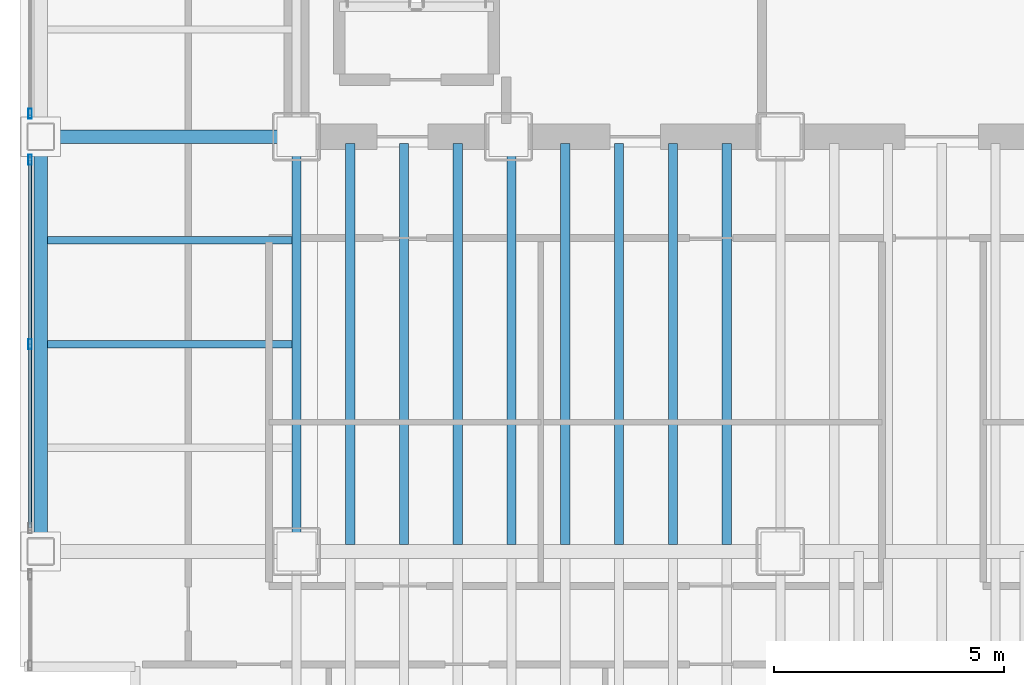
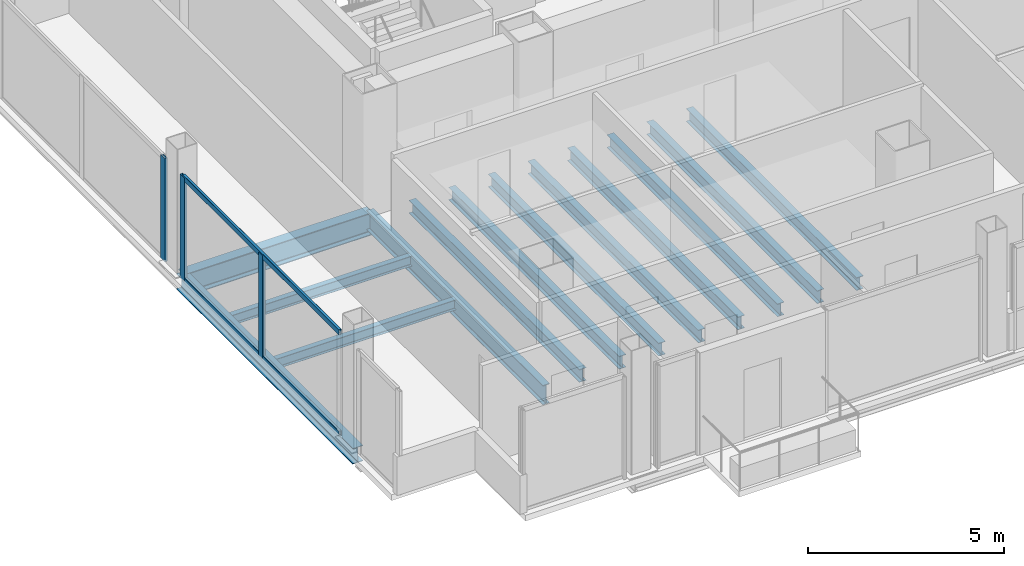
# One storey, part 3 of 20: 13 beams, 5 members, 2 elements without a shape of their own.
"""IFC4 building model written with IfcOpenShell, lengths in metres."""

from ifc_helpers import new_model, si_unit, direction, frame, origin, origin_2d, place, context, subcontext, project, spatial, hollow_rectangle, i_section, extrude, material, material_profile, profile_set, type_object, element, aggregate, save


model = new_model("IFC4")

# Units and contexts
model_context = context("Model", 3, precision=1e-05, world=origin(), true_north=direction((0.0, 1.0)))
body_context = subcontext(model_context, "Body", "Model", "MODEL_VIEW")
ifc_project = project(units=[si_unit("LENGTHUNIT", "METRE"), si_unit("AREAUNIT", "SQUARE_METRE"), si_unit("VOLUMEUNIT", "CUBIC_METRE"), si_unit("PLANEANGLEUNIT", "RADIAN"), si_unit("MASSUNIT", "GRAM", prefix="KILO")], contexts=[model_context])

# Site, building, storey
site_placement = place(None, origin())
site = spatial("IfcSite", under=ifc_project, at=site_placement, CompositionType="ELEMENT")
building_placement = place(site_placement, origin())
building = spatial("IfcBuilding", under=site, at=building_placement, Name="Noeulbin Bourse Tower", CompositionType="ELEMENT")
storey_placement = place(building_placement, frame((0.0, 0.0, 65.5)))
storey = spatial("IfcBuildingStorey", under=building, at=storey_placement, Name="L16", CompositionType="ELEMENT", Elevation=65.5)

# Beams
ifc_material_1 = material(Name="Steel S355", Category="steel")
ifc_material_profile_1 = material_profile(ifc_material_1, i_section(OverallWidth=0.199951171875, OverallDepth=0.60009765625, WebThickness=0.010986328125, FlangeThickness=0.01708984375, FilletRadius=0.02197265625, at=origin_2d()), Name="H-600x200x11x17", Category="LoadBearing")
ifc_profile_set_1 = profile_set([ifc_material_profile_1], Name="Steel S355")
beam_type_1 = type_object("IfcBeamType", Name="BM-GRD-600", PredefinedType="USERDEFINED", material=ifc_profile_set_1)
beam_1_placement = place(storey_placement, frame((13.5, 20.0, -0.47998046875), z_axis=(0.0, 1.0, 0.0), x_axis=(-1.0, 0.0, 0.0)))
element("IfcBeam", 1, at=beam_1_placement, inside=storey, type_object=beam_type_1, Name="Tower Primary Girder NS L16-1.2", ObjectType="GIRDER", PredefinedType="USERDEFINED", context=body_context, shape_type="SweptSolid", body=[
    extrude(i_section(OverallWidth=0.199951171875, OverallDepth=0.60009765625, WebThickness=0.010986328125, FlangeThickness=0.01708984375, FilletRadius=0.02197265625, at=origin_2d()), origin(), (0.0, 0.0, 1.0), 9.0),
])
ifc_material_profile_2 = material_profile(ifc_material_1, i_section(OverallWidth=0.300048828125, OverallDepth=0.699951171875, WebThickness=0.012939453125, FlangeThickness=0.02392578125, FilletRadius=0.02392578125, at=origin_2d()), Name="H-700x300x13x24", Category="LoadBearing")
ifc_profile_set_2 = profile_set([ifc_material_profile_2], Name="Steel S355")
beam_type_2 = type_object("IfcBeamType", Name="BM-GRD-700", PredefinedType="USERDEFINED", material=ifc_profile_set_2)
beam_2_placement = place(storey_placement, frame((7.949951171875, 29.0, -0.530029296875), z_axis=(1.0, 0.0, 0.0), x_axis=(0.0, 1.0, 0.0)))
element("IfcBeam", 2, at=beam_2_placement, inside=storey, type_object=beam_type_2, Name="Tower Primary Girder EW L16-2.1", ObjectType="GIRDER", PredefinedType="USERDEFINED", context=body_context, shape_type="SweptSolid", body=[
    extrude(i_section(OverallWidth=0.300048828125, OverallDepth=0.699951171875, WebThickness=0.012939453125, FlangeThickness=0.02392578125, FilletRadius=0.02392578125, at=origin_2d()), origin(), (0.0, 0.0, 1.0), 5.550048828125),
])
ifc_material_profile_3 = material_profile(ifc_material_1, i_section(OverallWidth=0.159912109375, OverallDepth=0.320068359375, WebThickness=0.006591796875, FlangeThickness=0.010009765625, FilletRadius=0.012939453125, at=origin_2d()), Name="H-320x160x6.5x10", Category="LoadBearing")
ifc_profile_set_3 = profile_set([ifc_material_profile_3], Name="Steel S355")
beam_type_3 = type_object("IfcBeamType", Name="BM-JST-320", PredefinedType="JOIST", material=ifc_profile_set_3)
for number, where, z_axis, x_axis, name in (
    (3, (8.10009765625, 24.5, -0.340087890625), (1.0, 0.0, 0.0), (0.0, 1.0, 0.0), "Wing Composite Joist L16-W71"),
    (4, (8.10009765625, 26.75, -0.340087890625), (1.0, 0.0, 0.0), (0.0, 1.0, 0.0), "Wing Composite Joist L16-W72"),
):
    element("IfcBeam", number, at=place(storey_placement, frame(where, z_axis=z_axis, x_axis=x_axis)), inside=storey, type_object=beam_type_3, Name=name, PredefinedType="JOIST", context=body_context, shape_type="SweptSolid", body=[
        extrude(i_section(OverallWidth=0.159912109375, OverallDepth=0.320068359375, WebThickness=0.006591796875, FlangeThickness=0.010009765625, FilletRadius=0.012939453125, at=origin_2d()), origin(), (0.0, 0.0, 1.0), 5.2998046875),
    ])
ifc_material_profile_4 = material_profile(ifc_material_1, i_section(OverallWidth=0.199951171875, OverallDepth=0.39990234375, WebThickness=0.008056640625, FlangeThickness=0.012939453125, FilletRadius=0.01611328125, at=origin_2d()), Name="H-400x200x8x13", Category="LoadBearing")
ifc_profile_set_4 = profile_set([ifc_material_profile_4], Name="Steel S355")
beam_type_4 = type_object("IfcBeamType", Name="BM-SEC-400", PredefinedType="BEAM", material=ifc_profile_set_4)
for number, where, z_axis, x_axis, name in (
    (5, (14.666748046875, 20.14990234375, -0.3798828125), (0.0, 1.0, 0.0), (-1.0, 0.0, 0.0), "Tower Composite Joist L16-02"),
    (6, (15.833251953125, 20.14990234375, -0.3798828125), (0.0, 1.0, 0.0), (-1.0, 0.0, 0.0), "Tower Composite Joist L16-05"),
    (7, (17.0, 20.14990234375, -0.3798828125), (0.0, 1.0, 0.0), (-1.0, 0.0, 0.0), "Tower Composite Joist L16-08"),
    (8, (18.166748046875, 20.14990234375, -0.3798828125), (0.0, 1.0, 0.0), (-1.0, 0.0, 0.0), "Tower Composite Joist L16-11"),
    (9, (19.333251953125, 20.14990234375, -0.3798828125), (0.0, 1.0, 0.0), (-1.0, 0.0, 0.0), "Tower Composite Joist L16-14"),
    (10, (20.5, 20.14990234375, -0.3798828125), (0.0, 1.0, 0.0), (-1.0, 0.0, 0.0), "Tower Composite Joist L16-17"),
    (11, (21.666748046875, 20.14990234375, -0.3798828125), (0.0, 1.0, 0.0), (-1.0, 0.0, 0.0), "Tower Composite Joist L16-20"),
    (12, (22.833251953125, 20.14990234375, -0.3798828125), (0.0, 1.0, 0.0), (-1.0, 0.0, 0.0), "Tower Composite Joist L16-23"),
):
    element("IfcBeam", number, at=place(storey_placement, frame(where, z_axis=z_axis, x_axis=x_axis)), inside=storey, type_object=beam_type_4, Name=name, PredefinedType="BEAM", context=body_context, shape_type="SweptSolid", body=[
        extrude(i_section(OverallWidth=0.199951171875, OverallDepth=0.39990234375, WebThickness=0.008056640625, FlangeThickness=0.012939453125, FilletRadius=0.01611328125, at=origin_2d()), origin(), (0.0, 0.0, 1.0), 8.7001953125),
    ])
ifc_material_profile_5 = material_profile(ifc_material_1, i_section(OverallWidth=0.300048828125, OverallDepth=0.488037109375, WebThickness=0.010986328125, FlangeThickness=0.01806640625, FilletRadius=0.02197265625, at=origin_2d()), Name="H-488x300x11x18", Category="LoadBearing")
ifc_profile_set_5 = profile_set([ifc_material_profile_5], Name="Steel S355")
beam_type_5 = type_object("IfcBeamType", Name="BM-SPN-488", PredefinedType="SPANDREL", material=ifc_profile_set_5)
beam_3_placement = place(storey_placement, frame((7.949951171875, 20.0, -0.424072265625), z_axis=(0.0, 1.0, 0.0), x_axis=(-1.0, 0.0, 0.0)))
element("IfcBeam", 13, at=beam_3_placement, inside=storey, type_object=beam_type_5, Name="West Spandrel L16-1", PredefinedType="SPANDREL", context=body_context, shape_type="SweptSolid", body=[
    extrude(i_section(OverallWidth=0.300048828125, OverallDepth=0.488037109375, WebThickness=0.010986328125, FlangeThickness=0.01806640625, FilletRadius=0.02197265625, at=origin_2d()), origin(), (0.0, 0.0, 1.0), 9.0),
])

# Curtain wall, members
ifc_material_2 = material(Name="Dark Solar-Control Double Glazing", Category="glass")
curtain_wall_type = type_object("IfcCurtainWallType", Name="CW-SYS-2", PredefinedType="NOTDEFINED", material=ifc_material_2)
curtain_wall_1_placement = place(storey_placement, origin())
curtain_wall_1 = element("IfcCurtainWall", 14, at=curtain_wall_1_placement, inside=storey, type_object=curtain_wall_type, Name="Unitised Curtain Wall CW-L16-W-S2", PredefinedType="NOTDEFINED")
ifc_material_3 = material(Name="Anodised Aluminium 6063-T6", Category="aluminium")
ifc_material_profile_6 = material_profile(ifc_material_3, hollow_rectangle(XDim=0.074951171875, YDim=0.219970703125, WallThickness=0.0048828125, InnerFilletRadius=0.00244140625, OuterFilletRadius=0.0048828125, at=origin_2d()), Name="ALU-MULL-75x220x5", Category="LoadBearing")
ifc_profile_set_6 = profile_set([ifc_material_profile_6], Name="Anodised Aluminium 6063-T6")
member_type_1 = type_object("IfcMemberType", Name="CW-SYS-2-MUL", PredefinedType="MULLION", material=ifc_profile_set_6)
member_1_placement = place(storey_placement, frame((7.719970703125, 24.5, -0.02001953125), z_axis=(0.0, 0.0, 1.0), x_axis=(1.0, 0.0, 0.0)))
member_1 = element("IfcMember", 15, at=member_1_placement, type_object=member_type_1, Name="Curtain Wall Mullion CW-L16-W-S2-M01", PredefinedType="MULLION", context=body_context, shape_type="SweptSolid", body=[
    extrude(hollow_rectangle(XDim=0.074951171875, YDim=0.219970703125, WallThickness=0.0048828125, InnerFilletRadius=0.00244140625, OuterFilletRadius=0.0048828125, at=origin_2d()), origin(), (0.0, 0.0, 1.0), 3.219970703125),
])
member_2_placement = place(storey_placement, frame((7.719970703125, 28.5, -0.02001953125), z_axis=(0.0, 0.0, 1.0), x_axis=(1.0, 0.0, 0.0)))
member_2 = element("IfcMember", 16, at=member_2_placement, type_object=member_type_1, Name="Curtain Wall Mullion CW-L16-W-S2-M02", PredefinedType="MULLION", context=body_context, shape_type="SweptSolid", body=[
    extrude(hollow_rectangle(XDim=0.074951171875, YDim=0.219970703125, WallThickness=0.0048828125, InnerFilletRadius=0.00244140625, OuterFilletRadius=0.0048828125, at=origin_2d()), origin(), (0.0, 0.0, 1.0), 3.219970703125),
])

# Curtain wall, member
curtain_wall_2_placement = place(storey_placement, origin())
curtain_wall_2 = element("IfcCurtainWall", 17, at=curtain_wall_2_placement, inside=storey, type_object=curtain_wall_type, Name="Unitised Curtain Wall CW-L16-W-S3", PredefinedType="NOTDEFINED")
member_3_placement = place(storey_placement, frame((7.719970703125, 29.5, -0.02001953125), z_axis=(0.0, 0.0, 1.0), x_axis=(1.0, 0.0, 0.0)))
member_3 = element("IfcMember", 18, at=member_3_placement, type_object=member_type_1, Name="Curtain Wall Mullion CW-L16-W-S3-M00", PredefinedType="MULLION", context=body_context, shape_type="SweptSolid", body=[
    extrude(hollow_rectangle(XDim=0.074951171875, YDim=0.219970703125, WallThickness=0.0048828125, InnerFilletRadius=0.00244140625, OuterFilletRadius=0.0048828125, at=origin_2d()), origin(), (0.0, 0.0, 1.0), 3.219970703125),
])
aggregate(curtain_wall_2, [member_3])

# Member
ifc_material_profile_7 = material_profile(ifc_material_3, hollow_rectangle(XDim=0.074951171875, YDim=0.159912109375, WallThickness=0.0048828125, InnerFilletRadius=0.00244140625, OuterFilletRadius=0.0048828125, at=origin_2d()), Name="ALU-TRAN-75x160x5", Category="LoadBearing")
ifc_profile_set_7 = profile_set([ifc_material_profile_7], Name="Anodised Aluminium 6063-T6")
member_type_2 = type_object("IfcMemberType", Name="CW-SYS-2-TRN", PredefinedType="USERDEFINED", material=ifc_profile_set_7)
member_4_placement = place(storey_placement, frame((7.719970703125, 20.510009765625, 0.010009765625), z_axis=(0.0, 1.0, 0.0), x_axis=(-1.0, 0.0, 0.0)))
member_4 = element("IfcMember", 19, at=member_4_placement, type_object=member_type_2, Name="Curtain Wall Transom CW-L16-W-S2-T00", ObjectType="TRANSOM", PredefinedType="USERDEFINED", context=body_context, shape_type="SweptSolid", body=[
    extrude(hollow_rectangle(XDim=0.074951171875, YDim=0.159912109375, WallThickness=0.0048828125, InnerFilletRadius=0.00244140625, OuterFilletRadius=0.0048828125, at=origin_2d()), origin(), (0.0, 0.0, 1.0), 7.97998046875),
])

member_5_placement = place(storey_placement, frame((7.719970703125, 20.510009765625, 3.169921875), z_axis=(0.0, 1.0, 0.0), x_axis=(-1.0, 0.0, 0.0)))
member_5 = element("IfcMember", 20, at=member_5_placement, type_object=member_type_2, Name="Curtain Wall Transom CW-L16-W-S2-T01", ObjectType="TRANSOM", PredefinedType="USERDEFINED", context=body_context, shape_type="SweptSolid", body=[
    extrude(hollow_rectangle(XDim=0.074951171875, YDim=0.159912109375, WallThickness=0.0048828125, InnerFilletRadius=0.00244140625, OuterFilletRadius=0.0048828125, at=origin_2d()), origin(), (0.0, 0.0, 1.0), 7.97998046875),
])

aggregate(curtain_wall_1, [member_1, member_2, member_4, member_5])

save(model, "model.ifc")
